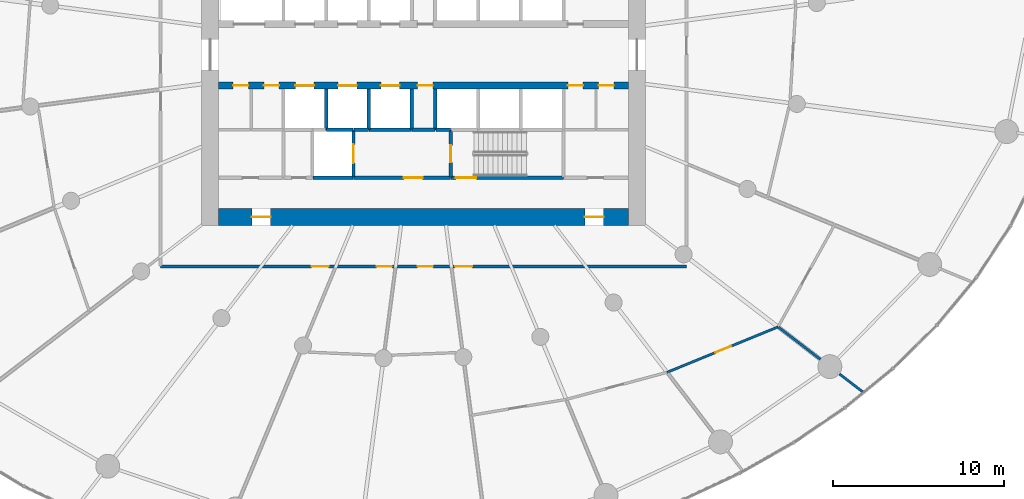
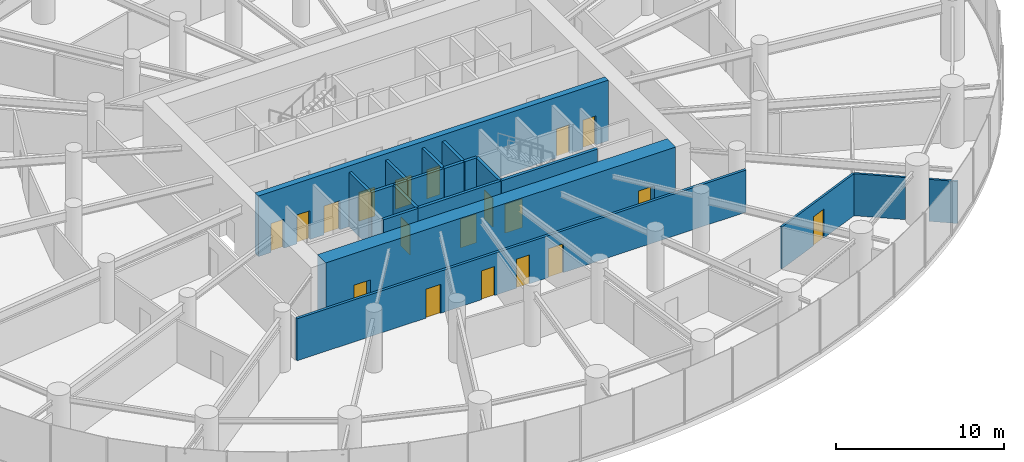
# One storey, part 13 of 19: 20 walls, 19 doors, 19 openings.
"""IFC4 building model written with IfcOpenShell, lengths in metres."""

from ifc_helpers import new_model, si_unit, direction, frame, frame_2d, origin, place, context, subcontext, project, spatial, rectangle, extrude, source, transform, mapped, material, layer, layer_set, type_object, element, fill, save


model = new_model("IFC4")

# Units and contexts
model_context = context("Model", 3, precision=1e-05, world=origin(), true_north=direction((0.0, 1.0)))
body_context = subcontext(model_context, "Body", "Model", "MODEL_VIEW")
ifc_project = project(units=[si_unit("LENGTHUNIT", "METRE"), si_unit("AREAUNIT", "SQUARE_METRE"), si_unit("VOLUMEUNIT", "CUBIC_METRE"), si_unit("PLANEANGLEUNIT", "RADIAN"), si_unit("MASSUNIT", "GRAM", prefix="KILO")], contexts=[model_context])

# Site, building, storey
site_placement = place(None, origin())
site = spatial("IfcSite", under=ifc_project, at=site_placement, CompositionType="ELEMENT")
building_placement = place(site_placement, origin())
building = spatial("IfcBuilding", under=site, at=building_placement, Name="Spindrift Exchange Tower", CompositionType="ELEMENT")
storey_placement = place(building_placement, frame((0.0, 0.0, 57.800048828125)))
storey = spatial("IfcBuildingStorey", under=building, at=storey_placement, Name="L13", CompositionType="ELEMENT", Elevation=57.800048828125)

# Wall, openings, doors
ifc_material_1 = material(Name="Concrete 80 MPa", Category="concrete")
ifc_layer_1 = layer(ifc_material_1, 1.0)
ifc_layer_set_1 = layer_set([ifc_layer_1], Name="RC Core Wall 1000 Concrete 80 MPa")
wall_type_1 = type_object("IfcWallType", Name="RC Core Wall 1000 Concrete 80 MPa", PredefinedType="SHEAR", material=ifc_layer_set_1)
wall_1_placement = place(storey_placement, frame((40.0, 38.5, 0.0), z_axis=(0.0, 0.0, 1.0), x_axis=(1.0, 0.0, 0.0)))
wall_1 = element("IfcWall", 1, at=wall_1_placement, inside=storey, type_object=wall_type_1, Name="Core wall S L13", PredefinedType="SHEAR", context=body_context, shape_type="SweptSolid", body=[
    extrude(rectangle(XDim=24.0, YDim=1.0, at=frame_2d((12.0, 0.0))), origin(), (0.0, 0.0, 1.0), 4.39990234375),
])
opening_1_placement = place(wall_1_placement, frame((21.449951171875, 0.0, 0.0)))
opening_1 = element("IfcOpeningElement", 2, at=opening_1_placement, cuts=wall_1, Name="Opening L13-D22", PredefinedType="OPENING", context=body_context, shape_type="SweptSolid", body=[
    extrude(rectangle(XDim=1.10009765625, YDim=2.10009765625, at=frame_2d((0.550048828125, 1.050048828125))), frame((0.0, 0.510009765625, 0.0), z_axis=(0.0, -1.0, 0.0), x_axis=(1.0, 0.0, 0.0)), (0.0, 0.0, 1.0), 1.02001953125),
])
opening_2_placement = place(wall_1_placement, frame((1.949951171875, 0.0, 0.0)))
opening_2 = element("IfcOpeningElement", 3, at=opening_2_placement, cuts=wall_1, Name="Opening L13-D23", PredefinedType="OPENING", context=body_context, shape_type="SweptSolid", body=[
    extrude(rectangle(XDim=1.10009765625, YDim=2.10009765625, at=frame_2d((0.550048828125, 1.050048828125))), frame((0.0, 0.510009765625, 0.0), z_axis=(0.0, -1.0, 0.0), x_axis=(1.0, 0.0, 0.0)), (0.0, 0.0, 1.0), 1.02001953125),
])
ifc_material_2 = material(Name="Steel fire door", Category="steel")
door_type_1 = type_object("IfcDoorType", Name="DR-STAIR-1100", OperationType="NOTDEFINED", PredefinedType="DOOR", material=ifc_material_2)
shared_shape_1 = source(origin(), body_context, "Body", "SweptSolid", [
    extrude(rectangle(XDim=1.10009765625, YDim=2.10009765625, at=frame_2d((0.550048828125, 1.050048828125))), frame((0.0, 0.02490234375, 0.0), z_axis=(0.0, -1.0, 0.0), x_axis=(1.0, 0.0, 0.0)), (0.0, 0.0, 1.0), 0.050048828125),
])
door_1_placement = place(opening_1_placement, origin())
door_1 = element("IfcDoor", 4, at=door_1_placement, inside=storey, type_object=door_type_1, Name="L13 Stair door 22", OperationType="SINGLE_SWING_LEFT", OverallHeight=2.10009765625, OverallWidth=1.10009765625, PredefinedType="DOOR", context=body_context, shape_type="MappedRepresentation", body=[
    mapped(shared_shape_1, transform((0.0, 0.0, 0.0), scale=1.0)),
])
fill(opening_1, door_1)
door_2_placement = place(opening_2_placement, origin())
door_2 = element("IfcDoor", 5, at=door_2_placement, inside=storey, type_object=door_type_1, Name="L13 Stair door 23", OperationType="SINGLE_SWING_RIGHT", OverallHeight=2.10009765625, OverallWidth=1.10009765625, PredefinedType="DOOR", context=body_context, shape_type="MappedRepresentation", body=[
    mapped(shared_shape_1, transform((0.0, 0.0, 0.0), scale=1.0)),
])
fill(opening_2, door_2)

ifc_layer_2 = layer(ifc_material_1, 0.39990234375)
ifc_layer_set_2 = layer_set([ifc_layer_2], Name="RC Spine Wall 400 Concrete 80 MPa")
wall_type_2 = type_object("IfcWallType", Name="RC Spine Wall 400 Concrete 80 MPa", PredefinedType="SHEAR", material=ifc_layer_set_2)
wall_2_placement = place(storey_placement, frame((40.0, 46.199951171875, 0.0), z_axis=(0.0, 0.0, 1.0), x_axis=(1.0, 0.0, 0.0)))
wall_2 = element("IfcWall", 6, at=wall_2_placement, inside=storey, type_object=wall_type_2, Name="Core spine wall S L13", PredefinedType="SHEAR", context=body_context, shape_type="SweptSolid", body=[
    extrude(rectangle(XDim=24.0, YDim=0.39990234375, at=frame_2d((12.0, 0.0))), origin(), (0.0, 0.0, 1.0), 4.39990234375),
])
opening_3_placement = place(wall_2_placement, frame((4.5, 0.0, 0.0)))
opening_3 = element("IfcOpeningElement", 7, at=opening_3_placement, cuts=wall_2, Name="Opening L13-D6", PredefinedType="OPENING", context=body_context, shape_type="SweptSolid", body=[
    extrude(rectangle(XDim=1.10009765625, YDim=2.10009765625, at=frame_2d((0.550048828125, 1.050048828125))), frame((0.0, 0.2099609375, 0.0), z_axis=(0.0, -1.0, 0.0), x_axis=(1.0, 0.0, 0.0)), (0.0, 0.0, 1.0), 0.419921875),
])
opening_4_placement = place(wall_2_placement, frame((7.0, 0.0, 0.0)))
opening_4 = element("IfcOpeningElement", 8, at=opening_4_placement, cuts=wall_2, Name="Opening L13-D7", PredefinedType="OPENING", context=body_context, shape_type="SweptSolid", body=[
    extrude(rectangle(XDim=1.10009765625, YDim=2.10009765625, at=frame_2d((0.550048828125, 1.050048828125))), frame((0.0, 0.2099609375, 0.0), z_axis=(0.0, -1.0, 0.0), x_axis=(1.0, 0.0, 0.0)), (0.0, 0.0, 1.0), 0.419921875),
])
opening_5_placement = place(wall_2_placement, frame((9.5, 0.0, 0.0)))
opening_5 = element("IfcOpeningElement", 9, at=opening_5_placement, cuts=wall_2, Name="Opening L13-D8", PredefinedType="OPENING", context=body_context, shape_type="SweptSolid", body=[
    extrude(rectangle(XDim=1.10009765625, YDim=2.10009765625, at=frame_2d((0.550048828125, 1.050048828125))), frame((0.0, 0.2099609375, 0.0), z_axis=(0.0, -1.0, 0.0), x_axis=(1.0, 0.0, 0.0)), (0.0, 0.0, 1.0), 0.419921875),
])
opening_6_placement = place(wall_2_placement, frame((20.449951171875, 0.0, 0.0)))
opening_6 = element("IfcOpeningElement", 10, at=opening_6_placement, cuts=wall_2, Name="Opening L13-D48", PredefinedType="OPENING", context=body_context, shape_type="SweptSolid", body=[
    extrude(rectangle(XDim=0.89990234375, YDim=2.10009765625, at=frame_2d((0.449951171875, 1.050048828125))), frame((0.0, 0.2099609375, 0.0), z_axis=(0.0, -1.0, 0.0), x_axis=(1.0, 0.0, 0.0)), (0.0, 0.0, 1.0), 0.419921875),
])
opening_7_placement = place(wall_2_placement, frame((22.25, 0.0, 0.0)))
opening_7 = element("IfcOpeningElement", 11, at=opening_7_placement, cuts=wall_2, Name="Opening L13-D49", PredefinedType="OPENING", context=body_context, shape_type="SweptSolid", body=[
    extrude(rectangle(XDim=0.89990234375, YDim=2.10009765625, at=frame_2d((0.449951171875, 1.050048828125))), frame((0.0, 0.2099609375, 0.0), z_axis=(0.0, -1.0, 0.0), x_axis=(1.0, 0.0, 0.0)), (0.0, 0.0, 1.0), 0.419921875),
])
opening_8_placement = place(wall_2_placement, frame((0.85009765625, 0.0, 0.0)))
opening_8 = element("IfcOpeningElement", 12, at=opening_8_placement, cuts=wall_2, Name="Opening L13-D53", PredefinedType="OPENING", context=body_context, shape_type="SweptSolid", body=[
    extrude(rectangle(XDim=0.89990234375, YDim=2.10009765625, at=frame_2d((0.449951171875, 1.050048828125))), frame((0.0, 0.2099609375, 0.0), z_axis=(0.0, -1.0, 0.0), x_axis=(1.0, 0.0, 0.0)), (0.0, 0.0, 1.0), 0.419921875),
])
opening_9_placement = place(wall_2_placement, frame((2.64990234375, 0.0, 0.0)))
opening_9 = element("IfcOpeningElement", 13, at=opening_9_placement, cuts=wall_2, Name="Opening L13-D54", PredefinedType="OPENING", context=body_context, shape_type="SweptSolid", body=[
    extrude(rectangle(XDim=0.89990234375, YDim=2.10009765625, at=frame_2d((0.449951171875, 1.050048828125))), frame((0.0, 0.2099609375, 0.0), z_axis=(0.0, -1.0, 0.0), x_axis=(1.0, 0.0, 0.0)), (0.0, 0.0, 1.0), 0.419921875),
])
opening_10_placement = place(wall_2_placement, frame((11.64990234375, 0.0, 0.0)))
opening_10 = element("IfcOpeningElement", 14, at=opening_10_placement, cuts=wall_2, Name="Opening L13-D56", PredefinedType="OPENING", context=body_context, shape_type="SweptSolid", body=[
    extrude(rectangle(XDim=0.89990234375, YDim=2.10009765625, at=frame_2d((0.449951171875, 1.050048828125))), frame((0.0, 0.2099609375, 0.0), z_axis=(0.0, -1.0, 0.0), x_axis=(1.0, 0.0, 0.0)), (0.0, 0.0, 1.0), 0.419921875),
])
ifc_material_3 = material(Name="Stainless steel landing door", Category="steel")
door_type_2 = type_object("IfcDoorType", Name="DR-LANDING-1100-SL", OperationType="DOUBLE_DOOR_SLIDING", PredefinedType="USERDEFINED", material=ifc_material_3)
shared_shape_2 = source(origin(), body_context, "Body", "SweptSolid", [
    extrude(rectangle(XDim=1.10009765625, YDim=2.10009765625, at=frame_2d((0.550048828125, 1.050048828125))), frame((0.0, 0.02490234375, 0.0), z_axis=(0.0, -1.0, 0.0), x_axis=(1.0, 0.0, 0.0)), (0.0, 0.0, 1.0), 0.050048828125),
])
door_3_placement = place(opening_3_placement, origin())
door_3 = element("IfcDoor", 15, at=door_3_placement, inside=storey, type_object=door_type_2, Name="L13 Lift landing door 6", ObjectType="LANDING DOOR", OperationType="DOUBLE_DOOR_SLIDING", OverallHeight=2.10009765625, OverallWidth=1.10009765625, PredefinedType="USERDEFINED", context=body_context, shape_type="MappedRepresentation", body=[
    mapped(shared_shape_2, transform((0.0, 0.0, 0.0), scale=1.0)),
])
fill(opening_3, door_3)
door_4_placement = place(opening_4_placement, origin())
door_4 = element("IfcDoor", 16, at=door_4_placement, inside=storey, type_object=door_type_2, Name="L13 Lift landing door 7", ObjectType="LANDING DOOR", OperationType="DOUBLE_DOOR_SLIDING", OverallHeight=2.10009765625, OverallWidth=1.10009765625, PredefinedType="USERDEFINED", context=body_context, shape_type="MappedRepresentation", body=[
    mapped(shared_shape_2, transform((0.0, 0.0, 0.0), scale=1.0)),
])
fill(opening_4, door_4)
door_5_placement = place(opening_5_placement, origin())
door_5 = element("IfcDoor", 17, at=door_5_placement, inside=storey, type_object=door_type_2, Name="L13 Lift landing door 8", ObjectType="LANDING DOOR", OperationType="DOUBLE_DOOR_SLIDING", OverallHeight=2.10009765625, OverallWidth=1.10009765625, PredefinedType="USERDEFINED", context=body_context, shape_type="MappedRepresentation", body=[
    mapped(shared_shape_2, transform((0.0, 0.0, 0.0), scale=1.0)),
])
fill(opening_5, door_5)
ifc_material_4 = material(Name="Steel access door", Category="steel")
door_type_3 = type_object("IfcDoorType", Name="DR-RISER-900", OperationType="NOTDEFINED", PredefinedType="DOOR", material=ifc_material_4)
shared_shape_3 = source(origin(), body_context, "Body", "SweptSolid", [
    extrude(rectangle(XDim=0.89990234375, YDim=2.10009765625, at=frame_2d((0.449951171875, 1.050048828125))), frame((0.0, 0.02490234375, 0.0), z_axis=(0.0, -1.0, 0.0), x_axis=(1.0, 0.0, 0.0)), (0.0, 0.0, 1.0), 0.050048828125),
])
door_6_placement = place(opening_6_placement, origin())
door_6 = element("IfcDoor", 18, at=door_6_placement, inside=storey, type_object=door_type_3, Name="L13 Riser door 48", OperationType="SINGLE_SWING_LEFT", OverallHeight=2.10009765625, OverallWidth=0.89990234375, PredefinedType="DOOR", context=body_context, shape_type="MappedRepresentation", body=[
    mapped(shared_shape_3, transform((0.0, 0.0, 0.0), scale=1.0)),
])
fill(opening_6, door_6)
door_7_placement = place(opening_7_placement, origin())
door_7 = element("IfcDoor", 19, at=door_7_placement, inside=storey, type_object=door_type_3, Name="L13 Riser door 49", OperationType="SINGLE_SWING_RIGHT", OverallHeight=2.10009765625, OverallWidth=0.89990234375, PredefinedType="DOOR", context=body_context, shape_type="MappedRepresentation", body=[
    mapped(shared_shape_3, transform((0.0, 0.0, 0.0), scale=1.0)),
])
fill(opening_7, door_7)
door_8_placement = place(opening_8_placement, origin())
door_8 = element("IfcDoor", 20, at=door_8_placement, inside=storey, type_object=door_type_3, Name="L13 Riser door 53", OperationType="SINGLE_SWING_RIGHT", OverallHeight=2.10009765625, OverallWidth=0.89990234375, PredefinedType="DOOR", context=body_context, shape_type="MappedRepresentation", body=[
    mapped(shared_shape_3, transform((0.0, 0.0, 0.0), scale=1.0)),
])
fill(opening_8, door_8)
door_9_placement = place(opening_9_placement, origin())
door_9 = element("IfcDoor", 21, at=door_9_placement, inside=storey, type_object=door_type_3, Name="L13 Riser door 54", OperationType="SINGLE_SWING_LEFT", OverallHeight=2.10009765625, OverallWidth=0.89990234375, PredefinedType="DOOR", context=body_context, shape_type="MappedRepresentation", body=[
    mapped(shared_shape_3, transform((0.0, 0.0, 0.0), scale=1.0)),
])
fill(opening_9, door_9)
door_10_placement = place(opening_10_placement, origin())
door_10 = element("IfcDoor", 22, at=door_10_placement, inside=storey, type_object=door_type_3, Name="L13 Riser door 56", OperationType="SINGLE_SWING_LEFT", OverallHeight=2.10009765625, OverallWidth=0.89990234375, PredefinedType="DOOR", context=body_context, shape_type="MappedRepresentation", body=[
    mapped(shared_shape_3, transform((0.0, 0.0, 0.0), scale=1.0)),
])
fill(opening_10, door_10)

ifc_material_5 = material(Name="Fire-rated plasterboard partition", Category="gypsum")
ifc_layer_3 = layer(ifc_material_5, 0.179931640625)
ifc_layer_set_3 = layer_set([ifc_layer_3], Name="W-CORR-180")
wall_type_3 = type_object("IfcWallType", Name="W-CORR-180", PredefinedType="PARTITIONING", material=ifc_layer_set_3)
wall_3_placement = place(storey_placement, frame((67.39990234375, 35.60009765625, 0.0), z_axis=(0.0, 0.0, 1.0), x_axis=(-1.0, 0.0, 0.0)))
wall_3 = element("IfcWall", 23, at=wall_3_placement, inside=storey, type_object=wall_type_3, Name="L13 Partition wall 57", PredefinedType="PARTITIONING", context=body_context, shape_type="SweptSolid", body=[
    extrude(rectangle(XDim=30.7998046875, YDim=0.179931640625, at=frame_2d((15.39990234375, 0.0))), origin(), (0.0, 0.0, 1.0), 3.050048828125),
])
opening_11_placement = place(wall_3_placement, frame((17.25, 0.0, 0.0)))
opening_11 = element("IfcOpeningElement", 24, at=opening_11_placement, cuts=wall_3, Name="Opening L13-D24", PredefinedType="OPENING", context=body_context, shape_type="SweptSolid", body=[
    extrude(rectangle(XDim=0.89990234375, YDim=2.10009765625, at=frame_2d((0.449951171875, 1.050048828125))), frame((0.0, 0.099853515625, 0.0), z_axis=(0.0, -1.0, 0.0), x_axis=(1.0, 0.0, 0.0)), (0.0, 0.0, 1.0), 0.199951171875),
])
opening_12_placement = place(wall_3_placement, frame((14.85009765625, 0.0, 0.0)))
opening_12 = element("IfcOpeningElement", 25, at=opening_12_placement, cuts=wall_3, Name="Opening L13-D25", PredefinedType="OPENING", context=body_context, shape_type="SweptSolid", body=[
    extrude(rectangle(XDim=0.89990234375, YDim=2.10009765625, at=frame_2d((0.449951171875, 1.050048828125))), frame((0.0, 0.099853515625, 0.0), z_axis=(0.0, -1.0, 0.0), x_axis=(1.0, 0.0, 0.0)), (0.0, 0.0, 1.0), 0.199951171875),
])
opening_13_placement = place(wall_3_placement, frame((12.550048828125, 0.0, 0.0)))
opening_13 = element("IfcOpeningElement", 26, at=opening_13_placement, cuts=wall_3, Name="Opening L13-D26", PredefinedType="OPENING", context=body_context, shape_type="SweptSolid", body=[
    extrude(rectangle(XDim=1.0, YDim=2.10009765625, at=frame_2d((0.5, 1.050048828125))), frame((0.0, 0.099853515625, 0.0), z_axis=(0.0, -1.0, 0.0), x_axis=(1.0, 0.0, 0.0)), (0.0, 0.0, 1.0), 0.199951171875),
])
opening_14_placement = place(wall_3_placement, frame((20.949951171875, 0.0, 0.0)))
opening_14 = element("IfcOpeningElement", 27, at=opening_14_placement, cuts=wall_3, Name="Opening L13-D45", PredefinedType="OPENING", context=body_context, shape_type="SweptSolid", body=[
    extrude(rectangle(XDim=1.0, YDim=2.10009765625, at=frame_2d((0.5, 1.050048828125))), frame((0.0, 0.099853515625, 0.0), z_axis=(0.0, -1.0, 0.0), x_axis=(1.0, 0.0, 0.0)), (0.0, 0.0, 1.0), 0.199951171875),
])
ifc_material_6 = material(Name="Timber-core fire door", Category="wood")
door_type_4 = type_object("IfcDoorType", Name="DR-ROOM-1000", OperationType="NOTDEFINED", PredefinedType="DOOR", material=ifc_material_6)
shared_shape_4 = source(origin(), body_context, "Body", "SweptSolid", [
    extrude(rectangle(XDim=1.0, YDim=2.10009765625, at=frame_2d((0.5, 1.050048828125))), frame((0.0, 0.02490234375, 0.0), z_axis=(0.0, -1.0, 0.0), x_axis=(1.0, 0.0, 0.0)), (0.0, 0.0, 1.0), 0.050048828125),
])
door_11_placement = place(opening_13_placement, origin())
door_11 = element("IfcDoor", 28, at=door_11_placement, inside=storey, type_object=door_type_4, Name="L13 Door 26", OperationType="SINGLE_SWING_LEFT", OverallHeight=2.10009765625, OverallWidth=1.0, PredefinedType="DOOR", context=body_context, shape_type="MappedRepresentation", body=[
    mapped(shared_shape_4, transform((0.0, 0.0, 0.0), scale=1.0)),
])
fill(opening_13, door_11)
door_12_placement = place(opening_14_placement, origin())
door_12 = element("IfcDoor", 29, at=door_12_placement, inside=storey, type_object=door_type_4, Name="L13 Door 45", OperationType="SINGLE_SWING_RIGHT", OverallHeight=2.10009765625, OverallWidth=1.0, PredefinedType="DOOR", context=body_context, shape_type="MappedRepresentation", body=[
    mapped(shared_shape_4, transform((0.0, 0.0, 0.0), scale=1.0)),
])
fill(opening_14, door_12)
ifc_material_7 = material(Name="Laminate washroom door", Category="wood")
door_type_5 = type_object("IfcDoorType", Name="DR-WC-900", OperationType="NOTDEFINED", PredefinedType="DOOR", material=ifc_material_7)
shared_shape_5 = source(origin(), body_context, "Body", "SweptSolid", [
    extrude(rectangle(XDim=0.89990234375, YDim=2.10009765625, at=frame_2d((0.449951171875, 1.050048828125))), frame((0.0, 0.02490234375, 0.0), z_axis=(0.0, -1.0, 0.0), x_axis=(1.0, 0.0, 0.0)), (0.0, 0.0, 1.0), 0.050048828125),
])
door_13_placement = place(opening_11_placement, origin())
door_13 = element("IfcDoor", 30, at=door_13_placement, inside=storey, type_object=door_type_5, Name="L13 WC door 24", OperationType="SINGLE_SWING_LEFT", OverallHeight=2.10009765625, OverallWidth=0.89990234375, PredefinedType="DOOR", context=body_context, shape_type="MappedRepresentation", body=[
    mapped(shared_shape_5, transform((0.0, 0.0, 0.0), scale=1.0)),
])
fill(opening_11, door_13)
door_14_placement = place(opening_12_placement, origin())
door_14 = element("IfcDoor", 31, at=door_14_placement, inside=storey, type_object=door_type_5, Name="L13 WC door 25", OperationType="SINGLE_SWING_RIGHT", OverallHeight=2.10009765625, OverallWidth=0.89990234375, PredefinedType="DOOR", context=body_context, shape_type="MappedRepresentation", body=[
    mapped(shared_shape_5, transform((0.0, 0.0, 0.0), scale=1.0)),
])
fill(opening_12, door_14)

# Wall, opening, door
ifc_layer_4 = layer(ifc_material_5, 0.139892578125)
ifc_layer_set_4 = layer_set([ifc_layer_4], Name="W-PART-140")
wall_type_4 = type_object("IfcWallType", Name="W-PART-140", PredefinedType="PARTITIONING", material=ifc_layer_set_4)
wall_4_placement = place(storey_placement, frame((72.768310546875, 32.06396484375, 0.0), z_axis=(0.0, 0.0, 1.0), x_axis=(-0.925503200364, -0.378739786814, 0.0)))
wall_4 = element("IfcWall", 32, at=wall_4_placement, inside=storey, type_object=wall_type_4, Name="L13 Partition wall 72", PredefinedType="PARTITIONING", context=body_context, shape_type="SweptSolid", body=[
    extrude(rectangle(XDim=7.0224609375, YDim=0.139892578125, at=frame_2d((3.51123046875, 0.0))), origin(), (0.0, 0.0, 1.0), 3.050048828125),
])
opening_15_placement = place(wall_4_placement, frame((2.972412109375, 0.0, 0.0)))
opening_15 = element("IfcOpeningElement", 33, at=opening_15_placement, cuts=wall_4, Name="Opening L13-D29", PredefinedType="OPENING", context=body_context, shape_type="SweptSolid", body=[
    extrude(rectangle(XDim=1.0, YDim=2.10009765625, at=frame_2d((0.5, 1.050048828125))), frame((0.0, 0.079833984375, 0.0), z_axis=(0.0, -1.0, 0.0), x_axis=(1.0, 0.0, 0.0)), (0.0, 0.0, 1.0), 0.159912109375),
])
door_15_placement = place(opening_15_placement, origin())
door_15 = element("IfcDoor", 34, at=door_15_placement, inside=storey, type_object=door_type_4, Name="L13 Door 29", OperationType="SINGLE_SWING_RIGHT", OverallHeight=2.10009765625, OverallWidth=1.0, PredefinedType="DOOR", context=body_context, shape_type="MappedRepresentation", body=[
    mapped(shared_shape_4, transform((0.0, 0.0, 0.0), scale=1.0)),
])
fill(opening_15, door_15)

# Walls
wall_5_placement = place(storey_placement, frame((72.7919921875, 32.0458984375, 0.0), z_axis=(0.0, 0.0, 1.0), x_axis=(0.793358163661, -0.608755143019, 0.0)))
element("IfcWall", 35, at=wall_5_placement, inside=storey, type_object=wall_type_4, Name="L13 Partition wall 111", PredefinedType="PARTITIONING", context=body_context, shape_type="SweptSolid", body=[
    extrude(rectangle(XDim=3.088134765625, YDim=0.139892578125, at=frame_2d((1.5439453125, 0.0))), origin(), (0.0, 0.0, 1.0), 3.050048828125),
])
wall_6_placement = place(storey_placement, frame((76.359375, 29.30859375, 0.0), z_axis=(0.0, 0.0, 1.0), x_axis=(0.793288592826, -0.608845800258, 0.0)))
element("IfcWall", 36, at=wall_6_placement, inside=storey, type_object=wall_type_4, Name="L13 Partition wall 129", PredefinedType="PARTITIONING", context=body_context, shape_type="SweptSolid", body=[
    extrude(rectangle(XDim=1.719482421875, YDim=0.139892578125, at=frame_2d((0.85986328125, 0.0))), origin(), (0.0, 0.0, 1.0), 3.050048828125),
])

# Wall, opening, door
ifc_material_8 = material(Name="Concrete 40 MPa", Category="concrete")
ifc_layer_5 = layer(ifc_material_8, 0.199951171875)
ifc_layer_set_5 = layer_set([ifc_layer_5], Name="W-SHAFT-200")
wall_type_5 = type_object("IfcWallType", Name="W-SHAFT-200", PredefinedType="SOLIDWALL", material=ifc_layer_set_5)
wall_7_placement = place(storey_placement, frame((47.89990234375, 40.830078125, 0.0), z_axis=(0.0, 0.0, 1.0), x_axis=(0.0, 1.0, 0.0)))
wall_7 = element("IfcWall", 37, at=wall_7_placement, inside=storey, type_object=wall_type_5, Name="L13 Shaft wall 8", PredefinedType="SOLIDWALL", context=body_context, shape_type="SweptSolid", body=[
    extrude(rectangle(XDim=2.77001953125, YDim=0.199951171875, at=frame_2d((1.385009765625, 0.0))), origin(), (0.0, 0.0, 1.0), 3.949951171875),
])
opening_16_placement = place(wall_7_placement, frame((0.820068359375, 0.0, 0.0)))
opening_16 = element("IfcOpeningElement", 38, at=opening_16_placement, cuts=wall_7, Name="Opening L13-D10", PredefinedType="OPENING", context=body_context, shape_type="SweptSolid", body=[
    extrude(rectangle(XDim=1.10009765625, YDim=2.10009765625, at=frame_2d((0.550048828125, 1.050048828125))), frame((0.0, 0.10986328125, 0.0), z_axis=(0.0, -1.0, 0.0), x_axis=(1.0, 0.0, 0.0)), (0.0, 0.0, 1.0), 0.219970703125),
])
door_16_placement = place(opening_16_placement, origin())
door_16 = element("IfcDoor", 39, at=door_16_placement, inside=storey, type_object=door_type_2, Name="L13 Lift landing door 10", ObjectType="LANDING DOOR", OperationType="DOUBLE_DOOR_SLIDING", OverallHeight=2.10009765625, OverallWidth=1.10009765625, PredefinedType="USERDEFINED", context=body_context, shape_type="MappedRepresentation", body=[
    mapped(shared_shape_2, transform((0.0, 0.0, 0.0), scale=1.0)),
])
fill(opening_16, door_16)

# Walls
wall_8_placement = place(storey_placement, frame((48.800048828125, 43.60009765625, 0.0), z_axis=(0.0, 0.0, 1.0), x_axis=(1.0, 0.0, 0.0)))
element("IfcWall", 40, at=wall_8_placement, inside=storey, type_object=wall_type_5, Name="L13 Shaft wall 17", PredefinedType="SOLIDWALL", context=body_context, shape_type="SweptSolid", body=[
    extrude(rectangle(XDim=2.5, YDim=0.199951171875, at=frame_2d((1.25, 0.0))), origin(), (0.0, 0.0, 1.0), 3.949951171875),
])
wall_9_placement = place(storey_placement, frame((45.530029296875, 40.800048828125, 0.0), z_axis=(0.0, 0.0, 1.0), x_axis=(1.0, 0.0, 0.0)))
element("IfcWall", 41, at=wall_9_placement, inside=storey, type_object=wall_type_5, Name="L13 Shaft wall 21", PredefinedType="SOLIDWALL", context=body_context, shape_type="SweptSolid", body=[
    extrude(rectangle(XDim=2.340087890625, YDim=0.199951171875, at=frame_2d((1.169921875, 0.0))), origin(), (0.0, 0.0, 1.0), 3.949951171875),
])
wall_10_placement = place(storey_placement, frame((46.300048828125, 43.60009765625, 0.0), z_axis=(0.0, 0.0, 1.0), x_axis=(0.0, 1.0, 0.0)))
element("IfcWall", 42, at=wall_10_placement, inside=storey, type_object=wall_type_5, Name="L13 Shaft wall 25", PredefinedType="SOLIDWALL", context=body_context, shape_type="SweptSolid", body=[
    extrude(rectangle(XDim=2.389892578125, YDim=0.199951171875, at=frame_2d((1.19482421875, 0.0))), origin(), (0.0, 0.0, 1.0), 3.949951171875),
])
for number, where, z_axis, x_axis, name in (
    (43, (48.800048828125, 43.6298828125, 0.0), (0.0, 0.0, 1.0), (0.0, 1.0, 0.0), "L13 Shaft wall 27"),
    (44, (51.300048828125, 43.6298828125, 0.0), (0.0, 0.0, 1.0), (0.0, 1.0, 0.0), "L13 Shaft wall 29"),
):
    element("IfcWall", number, at=place(storey_placement, frame(where, z_axis=z_axis, x_axis=x_axis)), inside=storey, type_object=wall_type_5, Name=name, PredefinedType="SOLIDWALL", context=body_context, shape_type="SweptSolid", body=[
        extrude(rectangle(XDim=2.360107421875, YDim=0.199951171875, at=frame_2d((1.18017578125, 0.0))), origin(), (0.0, 0.0, 1.0), 3.949951171875),
    ])
wall_11_placement = place(storey_placement, frame((52.699951171875, 45.989990234375, 0.0), z_axis=(0.0, 0.0, 1.0), x_axis=(0.0, -1.0, 0.0)))
element("IfcWall", 45, at=wall_11_placement, inside=storey, type_object=wall_type_5, Name="L13 Shaft wall 31", PredefinedType="SOLIDWALL", context=body_context, shape_type="SweptSolid", body=[
    extrude(rectangle(XDim=2.389892578125, YDim=0.199951171875, at=frame_2d((1.19482421875, 0.0))), origin(), (0.0, 0.0, 1.0), 3.949951171875),
])
wall_12_placement = place(storey_placement, frame((46.330078125, 43.60009765625, 0.0), z_axis=(0.0, 0.0, 1.0), x_axis=(1.0, 0.0, 0.0)))
element("IfcWall", 46, at=wall_12_placement, inside=storey, type_object=wall_type_5, Name="L13 Shaft wall 44", PredefinedType="SOLIDWALL", context=body_context, shape_type="SweptSolid", body=[
    extrude(rectangle(XDim=1.5400390625, YDim=0.199951171875, at=frame_2d((0.77001953125, 0.0))), origin(), (0.0, 0.0, 1.0), 3.949951171875),
])
wall_13_placement = place(storey_placement, frame((52.669921875, 43.60009765625, 0.0), z_axis=(0.0, 0.0, 1.0), x_axis=(-1.0, 0.0, 0.0)))
element("IfcWall", 47, at=wall_13_placement, inside=storey, type_object=wall_type_5, Name="L13 Shaft wall 48", PredefinedType="SOLIDWALL", context=body_context, shape_type="SweptSolid", body=[
    extrude(rectangle(XDim=1.33984375, YDim=0.199951171875, at=frame_2d((0.669921875, 0.0))), origin(), (0.0, 0.0, 1.0), 3.949951171875),
])
wall_14_placement = place(storey_placement, frame((47.929931640625, 43.60009765625, 0.0), z_axis=(0.0, 0.0, 1.0), x_axis=(1.0, 0.0, 0.0)))
element("IfcWall", 48, at=wall_14_placement, inside=storey, type_object=wall_type_5, Name="L13 Shaft wall 50", PredefinedType="SOLIDWALL", context=body_context, shape_type="SweptSolid", body=[
    extrude(rectangle(XDim=0.840087890625, YDim=0.199951171875, at=frame_2d((0.419921875, 0.0))), origin(), (0.0, 0.0, 1.0), 3.949951171875),
])

# Wall, opening, door
ifc_layer_6 = layer(ifc_material_8, 0.199951171875)
ifc_layer_set_6 = layer_set([ifc_layer_6], Name="W-SHAFT-200-LB")
wall_type_6 = type_object("IfcWallType", Name="W-SHAFT-200-LB", PredefinedType="SOLIDWALL", material=ifc_layer_set_6)
wall_15_placement = place(storey_placement, frame((53.60009765625, 40.800048828125, 0.0), z_axis=(0.0, 0.0, 1.0), x_axis=(1.0, 0.0, 0.0)))
wall_15 = element("IfcWall", 49, at=wall_15_placement, inside=storey, type_object=wall_type_6, Name="L13 Shaft wall 2", PredefinedType="SOLIDWALL", context=body_context, shape_type="SweptSolid", body=[
    extrude(rectangle(XDim=6.599853515625, YDim=0.199951171875, at=frame_2d((3.2998046875, 0.0))), origin(), (0.0, 0.0, 1.0), 3.949951171875),
])
opening_17_placement = place(wall_15_placement, frame((0.300048828125, 0.0, 0.0)))
opening_17 = element("IfcOpeningElement", 50, at=opening_17_placement, cuts=wall_15, Name="Opening L13-D16", PredefinedType="OPENING", context=body_context, shape_type="SweptSolid", body=[
    extrude(rectangle(XDim=1.199951171875, YDim=2.10009765625, at=frame_2d((0.60009765625, 1.050048828125))), frame((0.0, 0.10986328125, 0.0), z_axis=(0.0, -1.0, 0.0), x_axis=(1.0, 0.0, 0.0)), (0.0, 0.0, 1.0), 0.219970703125),
])
door_type_6 = type_object("IfcDoorType", Name="DR-STAIR-1200", OperationType="NOTDEFINED", PredefinedType="DOOR", material=ifc_material_2)
shared_shape_6 = source(origin(), body_context, "Body", "SweptSolid", [
    extrude(rectangle(XDim=1.199951171875, YDim=2.10009765625, at=frame_2d((0.60009765625, 1.050048828125))), frame((0.0, 0.02490234375, 0.0), z_axis=(0.0, -1.0, 0.0), x_axis=(1.0, 0.0, 0.0)), (0.0, 0.0, 1.0), 0.050048828125),
])
door_17_placement = place(opening_17_placement, origin())
door_17 = element("IfcDoor", 51, at=door_17_placement, inside=storey, type_object=door_type_6, Name="L13 Stair door 16", OperationType="SINGLE_SWING_LEFT", OverallHeight=2.10009765625, OverallWidth=1.199951171875, PredefinedType="DOOR", context=body_context, shape_type="MappedRepresentation", body=[
    mapped(shared_shape_6, transform((0.0, 0.0, 0.0), scale=1.0)),
])
fill(opening_17, door_17)

wall_16_placement = place(storey_placement, frame((47.89990234375, 40.800048828125, 0.0), z_axis=(0.0, 0.0, 1.0), x_axis=(1.0, 0.0, 0.0)))
wall_16 = element("IfcWall", 52, at=wall_16_placement, inside=storey, type_object=wall_type_6, Name="L13 Shaft wall 3", PredefinedType="SOLIDWALL", context=body_context, shape_type="SweptSolid", body=[
    extrude(rectangle(XDim=5.670166015625, YDim=0.199951171875, at=frame_2d((2.8349609375, 0.0))), origin(), (0.0, 0.0, 1.0), 3.949951171875),
])
opening_18_placement = place(wall_16_placement, frame((2.949951171875, 0.0, 0.0)))
opening_18 = element("IfcOpeningElement", 53, at=opening_18_placement, cuts=wall_16, Name="Opening L13-D18", PredefinedType="OPENING", context=body_context, shape_type="SweptSolid", body=[
    extrude(rectangle(XDim=1.10009765625, YDim=2.10009765625, at=frame_2d((0.550048828125, 1.050048828125))), frame((0.0, 0.10986328125, 0.0), z_axis=(0.0, -1.0, 0.0), x_axis=(1.0, 0.0, 0.0)), (0.0, 0.0, 1.0), 0.219970703125),
])
door_type_7 = type_object("IfcDoorType", Name="DR-LOBBY-1100", OperationType="NOTDEFINED", PredefinedType="DOOR", material=ifc_material_6)
shared_shape_7 = source(origin(), body_context, "Body", "SweptSolid", [
    extrude(rectangle(XDim=1.10009765625, YDim=2.10009765625, at=frame_2d((0.550048828125, 1.050048828125))), frame((0.0, 0.02490234375, 0.0), z_axis=(0.0, -1.0, 0.0), x_axis=(1.0, 0.0, 0.0)), (0.0, 0.0, 1.0), 0.050048828125),
])
door_18_placement = place(opening_18_placement, origin())
door_18 = element("IfcDoor", 54, at=door_18_placement, inside=storey, type_object=door_type_7, Name="L13 Lobby door 18", OperationType="SINGLE_SWING_LEFT", OverallHeight=2.10009765625, OverallWidth=1.10009765625, PredefinedType="DOOR", context=body_context, shape_type="MappedRepresentation", body=[
    mapped(shared_shape_7, transform((0.0, 0.0, 0.0), scale=1.0)),
])
fill(opening_18, door_18)

wall_17_placement = place(storey_placement, frame((53.60009765625, 43.60009765625, 0.0), z_axis=(0.0, 0.0, 1.0), x_axis=(0.0, -1.0, 0.0)))
wall_17 = element("IfcWall", 55, at=wall_17_placement, inside=storey, type_object=wall_type_6, Name="L13 Shaft wall 11", PredefinedType="SOLIDWALL", context=body_context, shape_type="SweptSolid", body=[
    extrude(rectangle(XDim=2.77001953125, YDim=0.199951171875, at=frame_2d((1.385009765625, 0.0))), origin(), (0.0, 0.0, 1.0), 3.949951171875),
])
opening_19_placement = place(wall_17_placement, frame((0.89990234375, 0.0, 0.0)))
opening_19 = element("IfcOpeningElement", 56, at=opening_19_placement, cuts=wall_17, Name="Opening L13-D17", PredefinedType="OPENING", context=body_context, shape_type="SweptSolid", body=[
    extrude(rectangle(XDim=1.0, YDim=2.10009765625, at=frame_2d((0.5, 1.050048828125))), frame((0.0, 0.10986328125, 0.0), z_axis=(0.0, -1.0, 0.0), x_axis=(1.0, 0.0, 0.0)), (0.0, 0.0, 1.0), 0.219970703125),
])
door_type_8 = type_object("IfcDoorType", Name="DR-STAIR-1000", OperationType="NOTDEFINED", PredefinedType="DOOR", material=ifc_material_2)
shared_shape_8 = source(origin(), body_context, "Body", "SweptSolid", [
    extrude(rectangle(XDim=1.0, YDim=2.10009765625, at=frame_2d((0.5, 1.050048828125))), frame((0.0, 0.02490234375, 0.0), z_axis=(0.0, -1.0, 0.0), x_axis=(1.0, 0.0, 0.0)), (0.0, 0.0, 1.0), 0.050048828125),
])
door_19_placement = place(opening_19_placement, origin())
door_19 = element("IfcDoor", 57, at=door_19_placement, inside=storey, type_object=door_type_8, Name="L13 Stair door 17", OperationType="SINGLE_SWING_RIGHT", OverallHeight=2.10009765625, OverallWidth=1.0, PredefinedType="DOOR", context=body_context, shape_type="MappedRepresentation", body=[
    mapped(shared_shape_8, transform((0.0, 0.0, 0.0), scale=1.0)),
])
fill(opening_19, door_19)

# Wall
wall_18_placement = place(storey_placement, frame((52.72998046875, 43.60009765625, 0.0), z_axis=(0.0, 0.0, 1.0), x_axis=(1.0, 0.0, 0.0)))
element("IfcWall", 58, at=wall_18_placement, inside=storey, type_object=wall_type_6, Name="L13 Shaft wall 52", PredefinedType="SOLIDWALL", context=body_context, shape_type="SweptSolid", body=[
    extrude(rectangle(XDim=0.840087890625, YDim=0.199951171875, at=frame_2d((0.419921875, 0.0))), origin(), (0.0, 0.0, 1.0), 3.949951171875),
])

save(model, "model.ifc")
